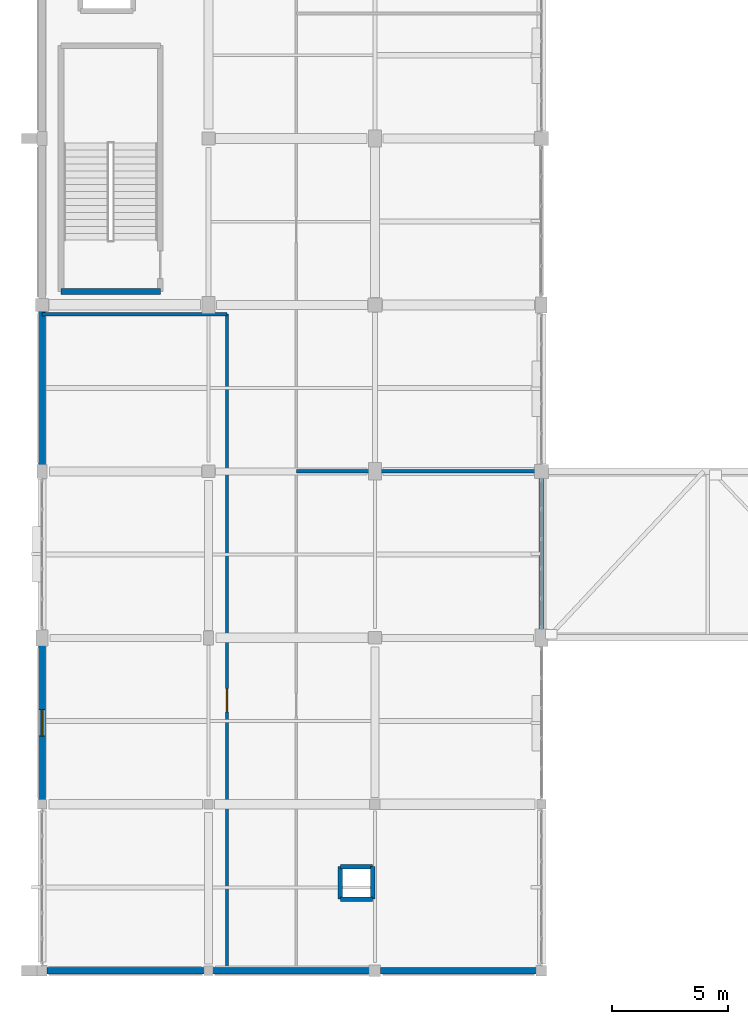
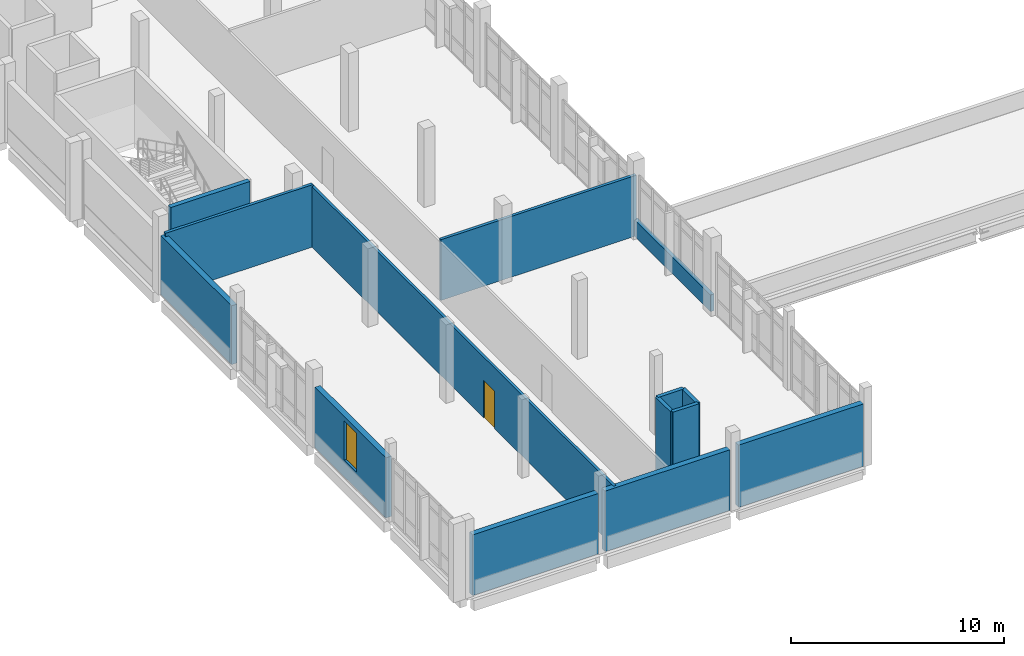
# One storey, part 70 of 87: 14 walls, 1 door, 1 window, 2 openings.
"""IFC4 building model written with IfcOpenShell, lengths in metres."""

from ifc_helpers import new_model, si_unit, direction, frame, frame_2d, origin, place, context, subcontext, project, spatial, rectangle, extrude, material, layer, layer_set, type_object, element, fill, save


model = new_model("IFC4")

# Units and contexts
model_context = context("Model", 3, precision=1e-05, world=origin(), true_north=direction((0.0, 1.0)))
body_context = subcontext(model_context, "Body", "Model", "MODEL_VIEW")
ifc_project = project(units=[si_unit("LENGTHUNIT", "METRE"), si_unit("AREAUNIT", "SQUARE_METRE"), si_unit("VOLUMEUNIT", "CUBIC_METRE"), si_unit("PLANEANGLEUNIT", "RADIAN"), si_unit("MASSUNIT", "GRAM", prefix="KILO")], contexts=[model_context])

# Site, building, storey
site_placement = place(None, origin())
site = spatial("IfcSite", under=ifc_project, at=site_placement, CompositionType="ELEMENT")
building_placement = place(site_placement, origin())
building = spatial("IfcBuilding", under=site, at=building_placement, Name="Kalluvel Institute of Natural Sciences", CompositionType="ELEMENT")
storey_placement = place(building_placement, frame((0.0, 0.0, 18.89990234375)))
storey = spatial("IfcBuildingStorey", under=building, at=storey_placement, Name="L04", CompositionType="ELEMENT", Elevation=18.89990234375)

# Wall
ifc_material_1 = material(Name="Concrete M40", Category="concrete")
ifc_layer_1 = layer(ifc_material_1, 0.25)
ifc_layer_set_1 = layer_set([ifc_layer_1], Name="Concrete M40")
wall_type_1 = type_object("IfcWallType", Name="WL-CORE-250", PredefinedType="SHEAR", material=ifc_layer_set_1)
wall_1_placement = place(storey_placement, frame((14.81494140625, 43.385009765625, 0.0), z_axis=(0.0, 0.0, 1.0), x_axis=(1.0, 0.0, 0.0)))
element("IfcWall", 1, at=wall_1_placement, inside=storey, type_object=wall_type_1, Name="ST4 L04 core wall S", PredefinedType="SHEAR", context=body_context, shape_type="SweptSolid", body=[
    extrude(rectangle(XDim=4.300048828125, YDim=0.25, at=frame_2d((2.14990234375, 0.0))), origin(), (0.0, 0.0, 1.0), 4.195068359375),
])

# Wall, opening, window
ifc_material_2 = material(Name="Sadarahalli Grey Granite Ashlar Concrete M40", Category="masonry")
ifc_layer_2 = layer(ifc_material_2, 0.300048828125)
ifc_layer_set_2 = layer_set([ifc_layer_2], Name="Sadarahalli Grey Granite Ashlar Concrete M40")
wall_type_2 = type_object("IfcWallType", Name="WL-EXT-300", PredefinedType="SOLIDWALL", material=ifc_layer_set_2)
wall_2_placement = place(storey_placement, frame((14.0, 21.3798828125, 0.0), z_axis=(0.0, 0.0, 1.0), x_axis=(0.0, 1.0, 0.0)))
wall_2 = element("IfcWall", 2, at=wall_2_placement, inside=storey, type_object=wall_type_2, Name="L04 Sadarahalli granite exterior wall WL-EXT-L04-0180", PredefinedType="SOLIDWALL", context=body_context, shape_type="SweptSolid", body=[
    extrude(rectangle(XDim=6.690185546875, YDim=0.300048828125, at=frame_2d((3.34521484375, 0.0))), origin(), (0.0, 0.0, 1.0), 3.455078125),
])
opening_1_placement = place(wall_2_placement, frame((2.77001953125, 0.0, 0.949951171875)))
opening_1 = element("IfcOpeningElement", 3, at=opening_1_placement, cuts=wall_2, Name="Opening W-16", PredefinedType="OPENING", context=body_context, shape_type="SweptSolid", body=[
    extrude(rectangle(XDim=1.14990234375, YDim=2.25, at=frame_2d((0.574951171875, 1.125))), frame((0.0, 0.159912109375, 0.0), z_axis=(0.0, -1.0, 0.0), x_axis=(1.0, 0.0, 0.0)), (0.0, 0.0, 1.0), 0.320068359375),
])
ifc_material_3 = material(Name="Solar-Control Low-E Laminated Glass", Category="glass")
window_type = type_object("IfcWindowType", Name="WN-LAN-115x225", PartitioningType="SINGLE_PANEL", PredefinedType="WINDOW", material=ifc_material_3)
window_placement = place(opening_1_placement, origin())
window = element("IfcWindow", 4, at=window_placement, inside=storey, type_object=window_type, Name="L04 Gothic lancet window 32", OverallHeight=2.25, OverallWidth=1.14990234375, PartitioningType="SINGLE_PANEL", PredefinedType="WINDOW", context=body_context, shape_type="SweptSolid", body=[
    extrude(rectangle(XDim=1.14990234375, YDim=2.25, at=frame_2d((0.574951171875, 1.125))), frame((0.0, 0.030029296875, 0.0), z_axis=(0.0, -1.0, 0.0), x_axis=(1.0, 0.0, 0.0)), (0.0, 0.0, 1.0), 0.06005859375),
])
fill(opening_1, window)

# Walls
wall_3_placement = place(storey_placement, frame((14.0, 35.8798828125, 0.0), z_axis=(0.0, 0.0, 1.0), x_axis=(0.0, 1.0, 0.0)))
element("IfcWall", 5, at=wall_3_placement, inside=storey, type_object=wall_type_2, Name="L04 Sadarahalli granite exterior wall WL-EXT-L04-0181", PredefinedType="SOLIDWALL", context=body_context, shape_type="SweptSolid", body=[
    extrude(rectangle(XDim=6.6650390625, YDim=0.300048828125, at=frame_2d((3.33251953125, 0.0))), origin(), (0.0, 0.0, 1.0), 3.375),
])
wall_4_placement = place(storey_placement, frame((14.205078125, 14.0, 0.0), z_axis=(0.0, 0.0, 1.0), x_axis=(1.0, 0.0, 0.0)))
element("IfcWall", 6, at=wall_4_placement, inside=storey, type_object=wall_type_2, Name="L04 Sadarahalli granite exterior wall WL-EXT-L04-0188", PredefinedType="SOLIDWALL", context=body_context, shape_type="SweptSolid", body=[
    extrude(rectangle(XDim=6.81494140625, YDim=0.300048828125, at=frame_2d((3.407470703125, 0.0))), origin(), (0.0, 0.0, 1.0), 3.47509765625),
])
wall_5_placement = place(storey_placement, frame((21.3798828125, 14.0, 0.0), z_axis=(0.0, 0.0, 1.0), x_axis=(1.0, 0.0, 0.0)))
element("IfcWall", 7, at=wall_5_placement, inside=storey, type_object=wall_type_2, Name="L04 Sadarahalli granite exterior wall WL-EXT-L04-0189", PredefinedType="SOLIDWALL", context=body_context, shape_type="SweptSolid", body=[
    extrude(rectangle(XDim=6.7900390625, YDim=0.300048828125, at=frame_2d((3.39501953125, 0.0))), origin(), (0.0, 0.0, 1.0), 3.47509765625),
])
wall_6_placement = place(storey_placement, frame((28.6298828125, 14.0, 0.0), z_axis=(0.0, 0.0, 1.0), x_axis=(1.0, 0.0, 0.0)))
element("IfcWall", 8, at=wall_6_placement, inside=storey, type_object=wall_type_2, Name="L04 Sadarahalli granite exterior wall WL-EXT-L04-0190", PredefinedType="SOLIDWALL", context=body_context, shape_type="SweptSolid", body=[
    extrude(rectangle(XDim=6.76513671875, YDim=0.300048828125, at=frame_2d((3.382568359375, 0.0))), origin(), (0.0, 0.0, 1.0), 3.5751953125),
])
ifc_layer_3 = layer(ifc_material_2, 0.199951171875)
ifc_layer_set_3 = layer_set([ifc_layer_3], Name="Sadarahalli Grey Granite Ashlar Concrete M40")
wall_type_3 = type_object("IfcWallType", Name="WL-PAR-200", PredefinedType="PARAPET", material=ifc_layer_set_3)
wall_7_placement = place(storey_placement, frame((35.60009765625, 28.39990234375, 0.0), z_axis=(0.0, 0.0, 1.0), x_axis=(0.0, 1.0, 0.0)))
element("IfcWall", 9, at=wall_7_placement, inside=storey, type_object=wall_type_3, Name="L04 maintenance roof stone parapet 21", PredefinedType="PARAPET", context=body_context, shape_type="SweptSolid", body=[
    extrude(rectangle(XDim=7.2001953125, YDim=0.199951171875, at=frame_2d((3.60009765625, 0.0))), origin(), (0.0, 0.0, 1.0), 0.9501953125),
])

# Wall, opening, door
ifc_material_4 = material(Name="Acoustic Gypsum Twin-Stud Partition", Category="gypsum")
ifc_layer_4 = layer(ifc_material_4, 0.139892578125)
ifc_layer_set_4 = layer_set([ifc_layer_4], Name="Acoustic Gypsum Twin-Stud Partition")
wall_type_4 = type_object("IfcWallType", Name="WL-PART-140", PredefinedType="PARTITIONING", material=ifc_layer_set_4)
wall_8_placement = place(storey_placement, frame((22.0, 14.0, 0.0), z_axis=(0.0, 0.0, 1.0), x_axis=(0.0, 1.0, 0.0)))
wall_8 = element("IfcWall", 10, at=wall_8_placement, inside=storey, type_object=wall_type_4, Name="L04 interior partition wall WL-INT-L04-0235", PredefinedType="PARTITIONING", context=body_context, shape_type="SweptSolid", body=[
    extrude(rectangle(XDim=28.39990234375, YDim=0.139892578125, at=frame_2d((14.199951171875, 0.0))), origin(), (0.0, 0.0, 1.0), 3.47998046875),
])
opening_2_placement = place(wall_8_placement, frame((11.199951171875, 0.0, 0.0)))
opening_2 = element("IfcOpeningElement", 11, at=opening_2_placement, cuts=wall_8, Name="Opening D-189", PredefinedType="OPENING", context=body_context, shape_type="SweptSolid", body=[
    extrude(rectangle(XDim=1.0, YDim=2.14990234375, at=frame_2d((0.5, 1.074951171875))), frame((0.0, 0.079833984375, 0.0), z_axis=(0.0, -1.0, 0.0), x_axis=(1.0, 0.0, 0.0)), (0.0, 0.0, 1.0), 0.159912109375),
])
ifc_material_5 = material(Name="Engineered Hardwood Acoustic Leaf", Category="wood")
door_type = type_object("IfcDoorType", Name="DR-INT-1000", OperationType="NOTDEFINED", PredefinedType="DOOR", material=ifc_material_5)
door_placement = place(opening_2_placement, origin())
door = element("IfcDoor", 12, at=door_placement, inside=storey, type_object=door_type, Name="L04 DW-S door D-189", OperationType="SINGLE_SWING_RIGHT", OverallHeight=2.14990234375, OverallWidth=1.0, PredefinedType="DOOR", context=body_context, shape_type="SweptSolid", body=[
    extrude(rectangle(XDim=1.0, YDim=2.14990234375, at=frame_2d((0.5, 1.074951171875))), frame((0.0, 0.02490234375, 0.0), z_axis=(0.0, -1.0, 0.0), x_axis=(1.0, 0.0, 0.0)), (0.0, 0.0, 1.0), 0.050048828125),
])
fill(opening_2, door)

# Walls
ifc_material_6 = material(Name="Autoclaved Aerated Concrete Masonry Block", Category="masonry")
ifc_layer_5 = layer(ifc_material_6, 0.159912109375)
ifc_layer_set_5 = layer_set([ifc_layer_5], Name="Autoclaved Aerated Concrete Masonry Block")
wall_type_5 = type_object("IfcWallType", Name="WL-PART-160", PredefinedType="PARTITIONING", material=ifc_layer_set_5)
wall_9_placement = place(storey_placement, frame((25.0, 35.60009765625, 0.0), z_axis=(0.0, 0.0, 1.0), x_axis=(1.0, 0.0, 0.0)))
element("IfcWall", 13, at=wall_9_placement, inside=storey, type_object=wall_type_5, Name="L04 interior partition wall WL-INT-L04-0231", PredefinedType="PARTITIONING", context=body_context, shape_type="SweptSolid", body=[
    extrude(rectangle(XDim=10.60009765625, YDim=0.159912109375, at=frame_2d((5.300048828125, 0.0))), origin(), (0.0, 0.0, 1.0), 3.47998046875),
])
wall_10_placement = place(storey_placement, frame((14.0, 42.39990234375, 0.0), z_axis=(0.0, 0.0, 1.0), x_axis=(1.0, 0.0, 0.0)))
element("IfcWall", 14, at=wall_10_placement, inside=storey, type_object=wall_type_5, Name="L04 interior partition wall WL-INT-L04-0237", PredefinedType="PARTITIONING", context=body_context, shape_type="SweptSolid", body=[
    extrude(rectangle(XDim=8.0, YDim=0.159912109375, at=frame_2d((4.0, 0.0))), origin(), (0.0, 0.0, 1.0), 3.580078125),
])
ifc_layer_6 = layer(ifc_material_1, 0.199951171875)
ifc_layer_set_6 = layer_set([ifc_layer_6], Name="Concrete M40")
wall_type_6 = type_object("IfcWallType", Name="WL-RISER-200", PredefinedType="SHEAR", material=ifc_layer_set_6)
wall_11_placement = place(storey_placement, frame((26.89990234375, 17.10009765625, 0.0), z_axis=(0.0, 0.0, 1.0), x_axis=(1.0, 0.0, 0.0)))
element("IfcWall", 15, at=wall_11_placement, inside=storey, type_object=wall_type_6, Name="RS-DRY-S L04 service riser enclosure S", PredefinedType="SHEAR", context=body_context, shape_type="SweptSolid", body=[
    extrude(rectangle(XDim=1.400146484375, YDim=0.199951171875, at=frame_2d((0.7001953125, 0.0))), origin(), (0.0, 0.0, 1.0), 4.16015625),
])
wall_12_placement = place(storey_placement, frame((28.300048828125, 17.10009765625, 0.0), z_axis=(0.0, 0.0, 1.0), x_axis=(0.0, 1.0, 0.0)))
element("IfcWall", 16, at=wall_12_placement, inside=storey, type_object=wall_type_6, Name="RS-DRY-S L04 service riser enclosure E", PredefinedType="SHEAR", context=body_context, shape_type="SweptSolid", body=[
    extrude(rectangle(XDim=1.39990234375, YDim=0.199951171875, at=frame_2d((0.699951171875, 0.0))), origin(), (0.0, 0.0, 1.0), 4.16015625),
])
wall_13_placement = place(storey_placement, frame((28.300048828125, 18.5, 0.0), z_axis=(0.0, 0.0, 1.0), x_axis=(-1.0, 0.0, 0.0)))
element("IfcWall", 17, at=wall_13_placement, inside=storey, type_object=wall_type_6, Name="RS-DRY-S L04 service riser enclosure N", PredefinedType="SHEAR", context=body_context, shape_type="SweptSolid", body=[
    extrude(rectangle(XDim=1.400146484375, YDim=0.199951171875, at=frame_2d((0.7001953125, 0.0))), origin(), (0.0, 0.0, 1.0), 4.16015625),
])
wall_14_placement = place(storey_placement, frame((26.89990234375, 18.5, 0.0), z_axis=(0.0, 0.0, 1.0), x_axis=(0.0, -1.0, 0.0)))
element("IfcWall", 18, at=wall_14_placement, inside=storey, type_object=wall_type_6, Name="RS-DRY-S L04 service riser enclosure W", PredefinedType="SHEAR", context=body_context, shape_type="SweptSolid", body=[
    extrude(rectangle(XDim=1.39990234375, YDim=0.199951171875, at=frame_2d((0.699951171875, 0.0))), origin(), (0.0, 0.0, 1.0), 4.16015625),
])

save(model, "model.ifc")
